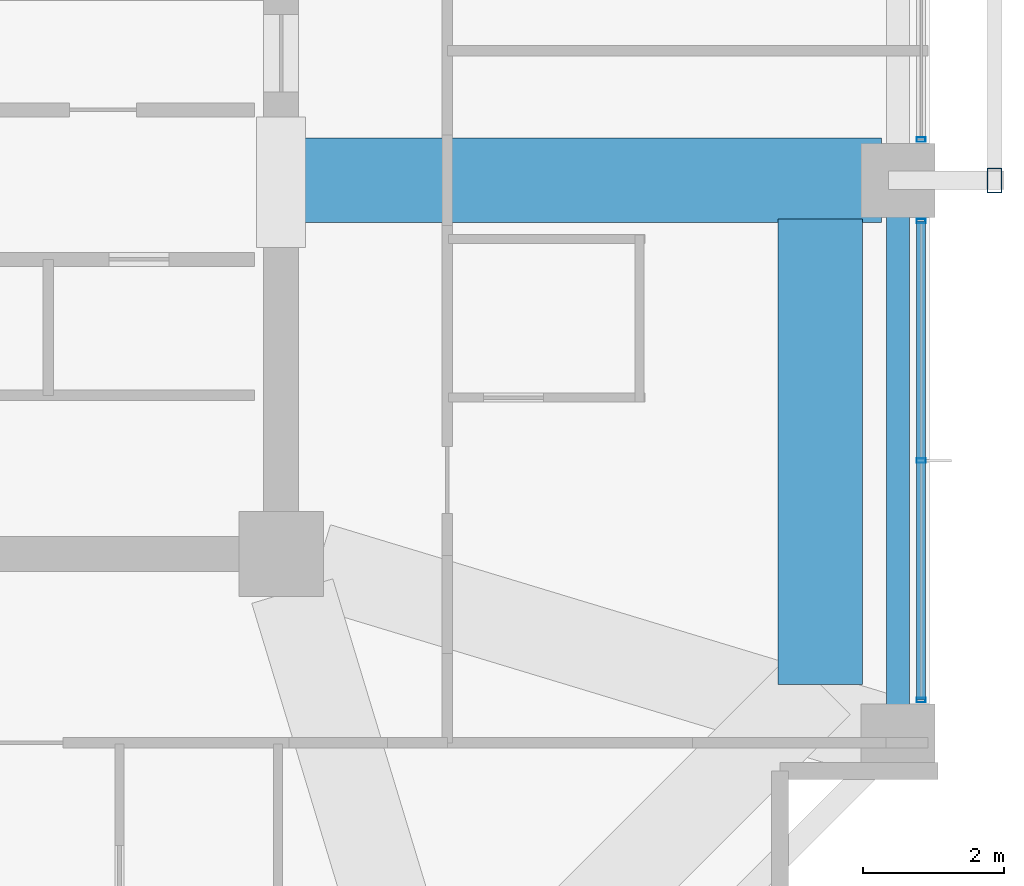
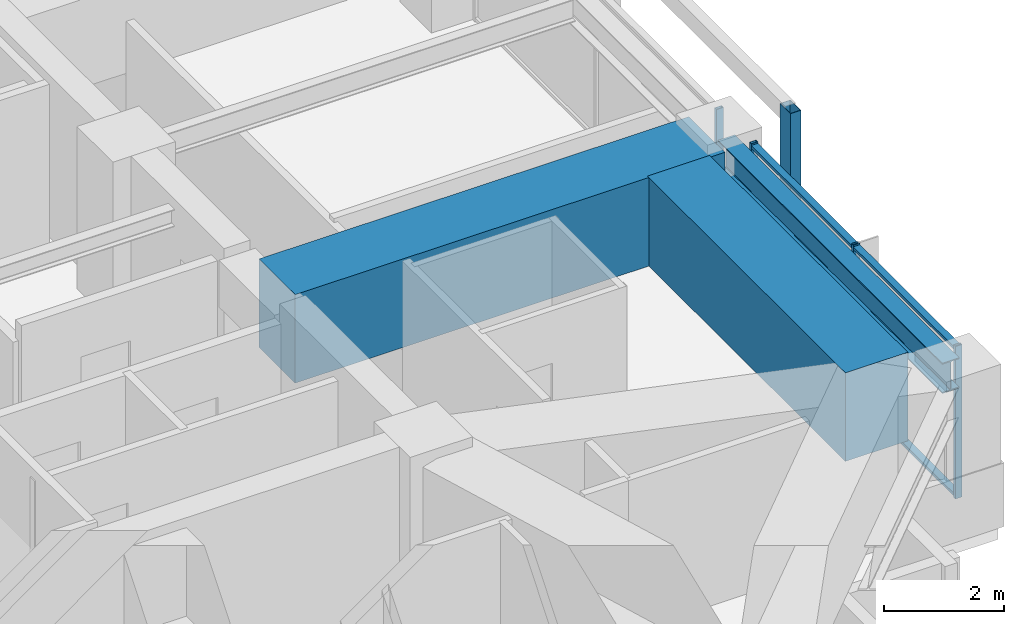
# One storey, part 11 of 28: 7 members, 3 beams, 2 elements without a shape of their own.
"""IFC4 building model written with IfcOpenShell, lengths in metres."""

from ifc_helpers import new_model, si_unit, direction, frame, origin, origin_2d, place, context, subcontext, project, spatial, rectangle, hollow_rectangle, i_section, extrude, material, material_profile, profile_set, type_object, element, aggregate, save


model = new_model("IFC4")

# Units and contexts
model_context = context("Model", 3, precision=1e-05, world=origin(), true_north=direction((0.0, 1.0)))
body_context = subcontext(model_context, "Body", "Model", "MODEL_VIEW")
ifc_project = project(units=[si_unit("LENGTHUNIT", "METRE"), si_unit("AREAUNIT", "SQUARE_METRE"), si_unit("VOLUMEUNIT", "CUBIC_METRE"), si_unit("PLANEANGLEUNIT", "RADIAN"), si_unit("MASSUNIT", "GRAM", prefix="KILO")], contexts=[model_context])

# Site, building, storey
site_placement = place(None, origin())
site = spatial("IfcSite", under=ifc_project, at=site_placement, CompositionType="ELEMENT")
building_placement = place(site_placement, origin())
building = spatial("IfcBuilding", under=site, at=building_placement, Name="Kolvaren Belvedere", CompositionType="ELEMENT")
storey_placement = place(building_placement, frame((0.0, 0.0, 125.0)))
storey = spatial("IfcBuildingStorey", under=building, at=storey_placement, Name="L36", CompositionType="ELEMENT", Elevation=125.0)

# Beams
ifc_material_1 = material(Name="Structural steel ASTM A992 Grade 50", Category="steel")
ifc_material_profile_1 = material_profile(ifc_material_1, i_section(OverallWidth=0.324951171875, OverallDepth=0.615966796875, WebThickness=0.013916015625, FlangeThickness=0.021484375, FilletRadius=0.02001953125, at=origin_2d()), Name="W24X117")
ifc_profile_set_1 = profile_set([ifc_material_profile_1], Name="Structural steel ASTM A992 Grade 50")
beam_type_1 = type_object("IfcBeamType", Name="BM-SPAN-W24X117", PredefinedType="SPANDREL", material=ifc_profile_set_1)
beam_1_placement = place(storey_placement, frame((18.64990234375, -12.313720703125, 2.7919921875), z_axis=(0.0, 1.0, 0.0), x_axis=(-1.0, 0.0, 0.0)))
element("IfcBeam", 1, at=beam_1_placement, inside=storey, type_object=beam_type_1, Name="L36 Perimeter Spandrel E1-E2", PredefinedType="SPANDREL", context=body_context, shape_type="SweptSolid", body=[
    extrude(i_section(OverallWidth=0.324951171875, OverallDepth=0.615966796875, WebThickness=0.013916015625, FlangeThickness=0.021484375, FilletRadius=0.02001953125, at=origin_2d()), origin(), (0.0, 0.0, 1.0), 7.4775390625),
])
ifc_material_2 = material(Name="Concrete C50/60", Category="concrete")
ifc_material_profile_2 = material_profile(ifc_material_2, rectangle(XDim=1.199951171875, YDim=1.800048828125, at=origin_2d()), Name="RC 1200X1800")
ifc_profile_set_2 = profile_set([ifc_material_profile_2], Name="Concrete C50/60")
beam_type_2 = type_object("IfcBeamType", Name="BM-TG-1800", PredefinedType="BEAM", material=ifc_profile_set_2)
beam_2_placement = place(storey_placement, frame((17.550048828125, -11.75, 2.199951171875), z_axis=(0.0, 1.0, 0.0), x_axis=(-1.0, 0.0, 0.0)))
element("IfcBeam", 2, at=beam_2_placement, inside=storey, type_object=beam_type_2, Name="L36 Step Transfer Ring Girder E1-E2", PredefinedType="BEAM", context=body_context, shape_type="SweptSolid", body=[
    extrude(rectangle(XDim=1.199951171875, YDim=1.800048828125, at=origin_2d()), origin(), (0.0, 0.0, 1.0), 6.60009765625),
])
beam_3_placement = place(storey_placement, frame((10.14990234375, -4.60009765625, 2.199951171875), z_axis=(1.0, 0.0, 0.0), x_axis=(0.0, 1.0, 0.0)))
element("IfcBeam", 3, at=beam_3_placement, inside=storey, type_object=beam_type_2, Name="L36 East Radial Girder M", PredefinedType="BEAM", context=body_context, shape_type="SweptSolid", body=[
    extrude(rectangle(XDim=1.199951171875, YDim=1.800048828125, at=origin_2d()), origin(), (0.0, 0.0, 1.0), 8.263916015625),
])

# Curtain wall, member
ifc_material_3 = material(Name="Anodised pale-metal aluminium AA 6063-T6", Category="aluminium")
curtain_wall_type = type_object("IfcCurtainWallType", Name="CW-Z3-WAIST", PredefinedType="NOTDEFINED", material=ifc_material_3)
curtain_wall_1_placement = place(storey_placement, origin())
curtain_wall_1 = element("IfcCurtainWall", 4, at=curtain_wall_1_placement, inside=storey, type_object=curtain_wall_type, Name="L36 Unitised Curtain Wall FCW-L36-E-B2", PredefinedType="NOTDEFINED")
ifc_material_4 = material(Name="Anodised pale-metal aluminium AA 6063-T6", Category="aluminium")
ifc_material_profile_3 = material_profile(ifc_material_4, hollow_rectangle(XDim=0.06494140625, YDim=0.1298828125, WallThickness=0.00390625, at=origin_2d()), Name="ALU-MUL-130X65")
ifc_profile_set_3 = profile_set([ifc_material_profile_3], Name="Anodised pale-metal aluminium AA 6063-T6")
member_type_1 = type_object("IfcMemberType", Name="CW-MUL-130", PredefinedType="MULLION", material=ifc_profile_set_3)
member_1_placement = place(storey_placement, frame((18.97998046875, -4.0224609375, 0.0), z_axis=(0.0, 0.0, 1.0), x_axis=(0.0, 1.0, 0.0)))
member_1 = element("IfcMember", 5, at=member_1_placement, type_object=member_type_1, Name="FCW-L36-E-B2 Unitised Mullion 3", PredefinedType="MULLION", context=body_context, shape_type="SweptSolid", body=[
    extrude(hollow_rectangle(XDim=0.06494140625, YDim=0.1298828125, WallThickness=0.00390625, at=origin_2d()), origin(), (0.0, 0.0, 1.0), 3.10009765625),
])
aggregate(curtain_wall_1, [member_1])

# Curtain wall, members
curtain_wall_2_placement = place(storey_placement, origin())
curtain_wall_2 = element("IfcCurtainWall", 6, at=curtain_wall_2_placement, inside=storey, type_object=curtain_wall_type, Name="L36 Unitised Curtain Wall FCW-L36-E-B3", PredefinedType="NOTDEFINED")
member_2_placement = place(storey_placement, frame((18.97998046875, -5.177490234375, 0.0), z_axis=(0.0, 0.0, 1.0), x_axis=(0.0, 1.0, 0.0)))
member_2 = element("IfcMember", 7, at=member_2_placement, type_object=member_type_1, Name="FCW-L36-E-B3 Unitised Mullion 1", PredefinedType="MULLION", context=body_context, shape_type="SweptSolid", body=[
    extrude(hollow_rectangle(XDim=0.06494140625, YDim=0.1298828125, WallThickness=0.00390625, at=origin_2d()), origin(), (0.0, 0.0, 1.0), 3.10009765625),
])
member_3_placement = place(storey_placement, frame((18.97998046875, -8.574951171875, 0.0), z_axis=(0.0, 0.0, 1.0), x_axis=(0.0, 1.0, 0.0)))
member_3 = element("IfcMember", 8, at=member_3_placement, type_object=member_type_1, Name="FCW-L36-E-B3 Unitised Mullion 2", PredefinedType="MULLION", context=body_context, shape_type="SweptSolid", body=[
    extrude(hollow_rectangle(XDim=0.06494140625, YDim=0.1298828125, WallThickness=0.00390625, at=origin_2d()), origin(), (0.0, 0.0, 1.0), 3.10009765625),
])
member_4_placement = place(storey_placement, frame((18.97998046875, -11.972412109375, 0.0), z_axis=(0.0, 0.0, 1.0), x_axis=(0.0, 1.0, 0.0)))
member_4 = element("IfcMember", 9, at=member_4_placement, type_object=member_type_1, Name="FCW-L36-E-B3 Unitised Mullion 3", PredefinedType="MULLION", context=body_context, shape_type="SweptSolid", body=[
    extrude(hollow_rectangle(XDim=0.06494140625, YDim=0.1298828125, WallThickness=0.00390625, at=origin_2d()), origin(), (0.0, 0.0, 1.0), 3.10009765625),
])
ifc_material_5 = material(Name="Anodised pale-metal aluminium AA 6063-T6", Category="aluminium")
ifc_material_profile_4 = material_profile(ifc_material_5, hollow_rectangle(XDim=0.06005859375, YDim=0.1298828125, WallThickness=0.00390625, at=origin_2d()), Name="ALU-TRN-130X60")
ifc_profile_set_4 = profile_set([ifc_material_profile_4], Name="Anodised pale-metal aluminium AA 6063-T6")
member_type_2 = type_object("IfcMemberType", Name="CW-TRN-130", PredefinedType="USERDEFINED", material=ifc_profile_set_4)
member_5_placement = place(storey_placement, frame((18.97998046875, -5.177490234375, 0.06005859375), z_axis=(0.0, -1.0, 0.0), x_axis=(0.0, 0.0, 1.0)))
member_5 = element("IfcMember", 10, at=member_5_placement, type_object=member_type_2, Name="FCW-L36-E-B3 Sill Transom", ObjectType="TRANSOM", PredefinedType="USERDEFINED", context=body_context, shape_type="SweptSolid", body=[
    extrude(hollow_rectangle(XDim=0.06005859375, YDim=0.1298828125, WallThickness=0.00390625, at=origin_2d()), origin(), (0.0, 0.0, 1.0), 6.794921875),
])
member_6_placement = place(storey_placement, frame((18.97998046875, -5.177490234375, 3.0400390625), z_axis=(0.0, -1.0, 0.0), x_axis=(0.0, 0.0, 1.0)))
member_6 = element("IfcMember", 11, at=member_6_placement, type_object=member_type_2, Name="FCW-L36-E-B3 Head Transom", ObjectType="TRANSOM", PredefinedType="USERDEFINED", context=body_context, shape_type="SweptSolid", body=[
    extrude(hollow_rectangle(XDim=0.06005859375, YDim=0.1298828125, WallThickness=0.00390625, at=origin_2d()), origin(), (0.0, 0.0, 1.0), 6.794921875),
])
aggregate(curtain_wall_2, [member_2, member_3, member_4, member_5, member_6])

# Member
ifc_material_6 = material(Name="Anodised pale-metal aluminium AA 6063-T6", Category="aluminium")
ifc_material_profile_5 = material_profile(ifc_material_6, hollow_rectangle(XDim=0.199951171875, YDim=0.35009765625, WallThickness=0.007568359375, at=origin_2d()), Name="ALU-PF-350X200")
ifc_profile_set_5 = profile_set([ifc_material_profile_5], Name="Anodised pale-metal aluminium AA 6063-T6")
member_type_3 = type_object("IfcMemberType", Name="PF-FRAME-350", PredefinedType="USERDEFINED", material=ifc_profile_set_5)
member_7_placement = place(storey_placement, frame((20.02001953125, -4.60009765625, 0.0), z_axis=(0.0, 0.0, 1.0), x_axis=(1.0, 0.0, 0.0)))
element("IfcMember", 12, at=member_7_placement, inside=storey, type_object=member_type_3, Name="L36 Outboard Picture-Frame Vertical E2", ObjectType="PICTURE FRAME FIN", PredefinedType="USERDEFINED", context=body_context, shape_type="SweptSolid", body=[
    extrude(hollow_rectangle(XDim=0.199951171875, YDim=0.35009765625, WallThickness=0.007568359375, at=origin_2d()), origin(), (0.0, 0.0, 1.0), 3.10009765625),
])

save(model, "model.ifc")
